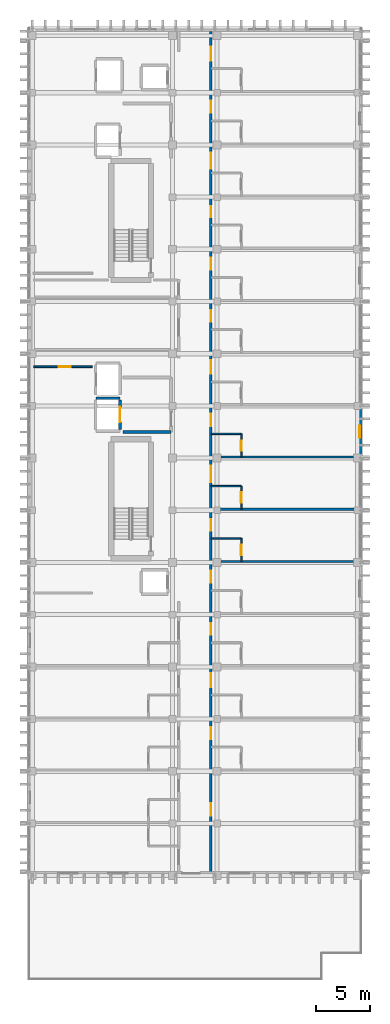
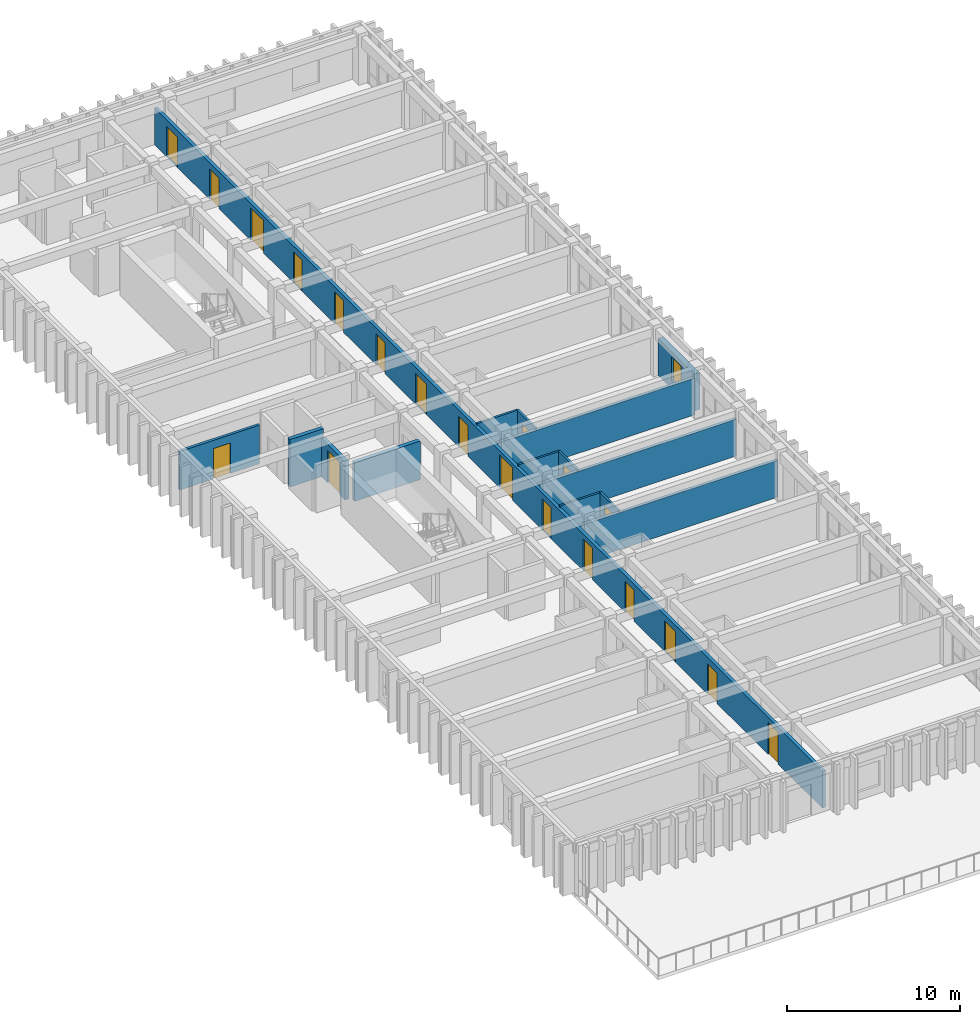
# One storey, part 49 of 59: 20 doors, 15 walls, 1 window, 21 openings.
"""IFC4 building model written with IfcOpenShell, lengths in metres."""

from ifc_helpers import new_model, si_unit, direction, frame, frame_2d, origin, place, context, subcontext, project, spatial, rectangle, extrude, material, layer, layer_set, type_object, element, fill, save


model = new_model("IFC4")

# Units and contexts
model_context = context("Model", 3, precision=1e-05, world=origin(), true_north=direction((0.0, 1.0)))
body_context = subcontext(model_context, "Body", "Model", "MODEL_VIEW")
ifc_project = project(units=[si_unit("LENGTHUNIT", "METRE"), si_unit("AREAUNIT", "SQUARE_METRE"), si_unit("VOLUMEUNIT", "CUBIC_METRE"), si_unit("PLANEANGLEUNIT", "RADIAN"), si_unit("MASSUNIT", "GRAM", prefix="KILO")], contexts=[model_context])

# Site, building, storey
site_placement = place(None, origin())
site = spatial("IfcSite", under=ifc_project, at=site_placement, CompositionType="ELEMENT")
building_placement = place(site_placement, origin())
building = spatial("IfcBuilding", under=site, at=building_placement, Name="Nakhvara Creek Congress Hotel", CompositionType="ELEMENT")
storey_placement = place(building_placement, frame((0.0, 0.0, 31.800048828125)))
storey = spatial("IfcBuildingStorey", under=building, at=storey_placement, Name="L07", CompositionType="ELEMENT", Elevation=31.800048828125)

# Wall, openings, doors
ifc_material_1 = material(Name="Gypsum acoustic board on steel stud", Category="steel")
ifc_layer_1 = layer(ifc_material_1, 0.219970703125)
ifc_layer_set_1 = layer_set([ifc_layer_1], Name="Gypsum acoustic board on steel stud")
wall_type_1 = type_object("IfcWallType", Name="W-CORR-220", PredefinedType="PARTITIONING", material=ifc_layer_set_1)
wall_1_placement = place(storey_placement, frame((165.8798828125, 48.35009765625, 0.0), z_axis=(0.0, 0.0, 1.0), x_axis=(0.0, 1.0, 0.0)))
wall_1 = element("IfcWall", 1, at=wall_1_placement, inside=storey, type_object=wall_type_1, Name="Interior Wall WP11-IW-L07-0521", PredefinedType="PARTITIONING", context=body_context, shape_type="SweptSolid", body=[
    extrude(rectangle(XDim=77.2998046875, YDim=0.219970703125, at=frame_2d((38.64990234375, 0.0))), origin(), (0.0, 0.0, 1.0), 2.60205078125),
])
opening_1_placement = place(wall_1_placement, frame((5.14990234375, 0.0, 0.0)))
opening_1 = element("IfcOpeningElement", 2, at=opening_1_placement, cuts=wall_1, Name="Opening GD05", PredefinedType="OPENING", context=body_context, shape_type="SweptSolid", body=[
    extrude(rectangle(XDim=1.139892578125, YDim=2.260009765625, at=frame_2d((0.56982421875, 1.1298828125))), frame((0.0, 0.1220703125, 0.0), z_axis=(0.0, -1.0, 0.0), x_axis=(1.0, 0.0, 0.0)), (0.0, 0.0, 1.0), 0.243896484375),
])
opening_2_placement = place(wall_1_placement, frame((12.18798828125, 0.0, 0.0)))
opening_2 = element("IfcOpeningElement", 3, at=opening_2_placement, cuts=wall_1, Name="Opening BD01", PredefinedType="OPENING", context=body_context, shape_type="SweptSolid", body=[
    extrude(rectangle(XDim=1.1201171875, YDim=2.14990234375, at=frame_2d((0.56005859375, 1.074951171875))), frame((0.0, 0.1220703125, 0.0), z_axis=(0.0, -1.0, 0.0), x_axis=(1.0, 0.0, 0.0)), (0.0, 0.0, 1.0), 0.243896484375),
])
opening_3_placement = place(wall_1_placement, frame((16.988037109375, 0.0, 0.0)))
opening_3 = element("IfcOpeningElement", 4, at=opening_3_placement, cuts=wall_1, Name="Opening ID07", PredefinedType="OPENING", context=body_context, shape_type="SweptSolid", body=[
    extrude(rectangle(XDim=1.280029296875, YDim=2.159912109375, at=frame_2d((0.64013671875, 1.080078125))), frame((0.0, 0.1220703125, 0.0), z_axis=(0.0, -1.0, 0.0), x_axis=(1.0, 0.0, 0.0)), (0.0, 0.0, 1.0), 0.243896484375),
])
opening_4_placement = place(wall_1_placement, frame((21.7880859375, 0.0, 0.0)))
opening_4 = element("IfcOpeningElement", 5, at=opening_4_placement, cuts=wall_1, Name="Opening ID04", PredefinedType="OPENING", context=body_context, shape_type="SweptSolid", body=[
    extrude(rectangle(XDim=1.050048828125, YDim=2.179931640625, at=frame_2d((0.52490234375, 1.08984375))), frame((0.0, 0.1220703125, 0.0), z_axis=(0.0, -1.0, 0.0), x_axis=(1.0, 0.0, 0.0)), (0.0, 0.0, 1.0), 0.243896484375),
])
opening_5_placement = place(wall_1_placement, frame((26.587890625, 0.0, 0.0)))
opening_5 = element("IfcOpeningElement", 6, at=opening_5_placement, cuts=wall_1, Name="Opening GD02", PredefinedType="OPENING", context=body_context, shape_type="SweptSolid", body=[
    extrude(rectangle(XDim=1.080078125, YDim=2.25, at=frame_2d((0.5400390625, 1.125))), frame((0.0, 0.1220703125, 0.0), z_axis=(0.0, -1.0, 0.0), x_axis=(1.0, 0.0, 0.0)), (0.0, 0.0, 1.0), 0.243896484375),
])
opening_6_placement = place(wall_1_placement, frame((31.387939453125, 0.0, 0.0)))
opening_6 = element("IfcOpeningElement", 7, at=opening_6_placement, cuts=wall_1, Name="Opening GD01", PredefinedType="OPENING", context=body_context, shape_type="SweptSolid", body=[
    extrude(rectangle(XDim=1.02001953125, YDim=2.199951171875, at=frame_2d((0.510009765625, 1.10009765625))), frame((0.0, 0.1220703125, 0.0), z_axis=(0.0, -1.0, 0.0), x_axis=(1.0, 0.0, 0.0)), (0.0, 0.0, 1.0), 0.243896484375),
])
opening_7_placement = place(wall_1_placement, frame((35.837890625, 0.0, 0.0)))
opening_7 = element("IfcOpeningElement", 8, at=opening_7_placement, cuts=wall_1, Name="Opening GD03", PredefinedType="OPENING", context=body_context, shape_type="SweptSolid", body=[
    extrude(rectangle(XDim=1.5, YDim=2.300048828125, at=frame_2d((0.75, 1.14990234375))), frame((0.0, 0.1220703125, 0.0), z_axis=(0.0, -1.0, 0.0), x_axis=(1.0, 0.0, 0.0)), (0.0, 0.0, 1.0), 0.243896484375),
])
opening_8_placement = place(wall_1_placement, frame((40.988037109375, 0.0, 0.0)))
opening_8 = element("IfcOpeningElement", 9, at=opening_8_placement, cuts=wall_1, Name="Opening BD01", PredefinedType="OPENING", context=body_context, shape_type="SweptSolid", body=[
    extrude(rectangle(XDim=1.1201171875, YDim=2.14990234375, at=frame_2d((0.56005859375, 1.074951171875))), frame((0.0, 0.1220703125, 0.0), z_axis=(0.0, -1.0, 0.0), x_axis=(1.0, 0.0, 0.0)), (0.0, 0.0, 1.0), 0.243896484375),
])
opening_9_placement = place(wall_1_placement, frame((45.7880859375, 0.0, 0.0)))
opening_9 = element("IfcOpeningElement", 10, at=opening_9_placement, cuts=wall_1, Name="Opening ID07", PredefinedType="OPENING", context=body_context, shape_type="SweptSolid", body=[
    extrude(rectangle(XDim=1.280029296875, YDim=2.159912109375, at=frame_2d((0.64013671875, 1.080078125))), frame((0.0, 0.1220703125, 0.0), z_axis=(0.0, -1.0, 0.0), x_axis=(1.0, 0.0, 0.0)), (0.0, 0.0, 1.0), 0.243896484375),
])
opening_10_placement = place(wall_1_placement, frame((50.587890625, 0.0, 0.0)))
opening_10 = element("IfcOpeningElement", 11, at=opening_10_placement, cuts=wall_1, Name="Opening ID04", PredefinedType="OPENING", context=body_context, shape_type="SweptSolid", body=[
    extrude(rectangle(XDim=1.050048828125, YDim=2.179931640625, at=frame_2d((0.52490234375, 1.08984375))), frame((0.0, 0.1220703125, 0.0), z_axis=(0.0, -1.0, 0.0), x_axis=(1.0, 0.0, 0.0)), (0.0, 0.0, 1.0), 0.243896484375),
])
opening_11_placement = place(wall_1_placement, frame((55.387939453125, 0.0, 0.0)))
opening_11 = element("IfcOpeningElement", 12, at=opening_11_placement, cuts=wall_1, Name="Opening GD02", PredefinedType="OPENING", context=body_context, shape_type="SweptSolid", body=[
    extrude(rectangle(XDim=1.080078125, YDim=2.25, at=frame_2d((0.5400390625, 1.125))), frame((0.0, 0.1220703125, 0.0), z_axis=(0.0, -1.0, 0.0), x_axis=(1.0, 0.0, 0.0)), (0.0, 0.0, 1.0), 0.243896484375),
])
opening_12_placement = place(wall_1_placement, frame((60.18798828125, 0.0, 0.0)))
opening_12 = element("IfcOpeningElement", 13, at=opening_12_placement, cuts=wall_1, Name="Opening GD01", PredefinedType="OPENING", context=body_context, shape_type="SweptSolid", body=[
    extrude(rectangle(XDim=1.02001953125, YDim=2.199951171875, at=frame_2d((0.510009765625, 1.10009765625))), frame((0.0, 0.1220703125, 0.0), z_axis=(0.0, -1.0, 0.0), x_axis=(1.0, 0.0, 0.0)), (0.0, 0.0, 1.0), 0.243896484375),
])
opening_13_placement = place(wall_1_placement, frame((64.637939453125, 0.0, 0.0)))
opening_13 = element("IfcOpeningElement", 14, at=opening_13_placement, cuts=wall_1, Name="Opening GD03", PredefinedType="OPENING", context=body_context, shape_type="SweptSolid", body=[
    extrude(rectangle(XDim=1.5, YDim=2.300048828125, at=frame_2d((0.75, 1.14990234375))), frame((0.0, 0.1220703125, 0.0), z_axis=(0.0, -1.0, 0.0), x_axis=(1.0, 0.0, 0.0)), (0.0, 0.0, 1.0), 0.243896484375),
])
opening_14_placement = place(wall_1_placement, frame((69.7880859375, 0.0, 0.0)))
opening_14 = element("IfcOpeningElement", 15, at=opening_14_placement, cuts=wall_1, Name="Opening BD01", PredefinedType="OPENING", context=body_context, shape_type="SweptSolid", body=[
    extrude(rectangle(XDim=1.1201171875, YDim=2.14990234375, at=frame_2d((0.56005859375, 1.074951171875))), frame((0.0, 0.1220703125, 0.0), z_axis=(0.0, -1.0, 0.0), x_axis=(1.0, 0.0, 0.0)), (0.0, 0.0, 1.0), 0.243896484375),
])
opening_15_placement = place(wall_1_placement, frame((74.587890625, 0.0, 0.0)))
opening_15 = element("IfcOpeningElement", 16, at=opening_15_placement, cuts=wall_1, Name="Opening ID07", PredefinedType="OPENING", context=body_context, shape_type="SweptSolid", body=[
    extrude(rectangle(XDim=1.280029296875, YDim=2.159912109375, at=frame_2d((0.64013671875, 1.080078125))), frame((0.0, 0.1220703125, 0.0), z_axis=(0.0, -1.0, 0.0), x_axis=(1.0, 0.0, 0.0)), (0.0, 0.0, 1.0), 0.243896484375),
])
ifc_material_2 = material(Name="Brushed stainless-clad BOH door")
door_type_1 = type_object("IfcDoorType", Name="DT-BOH-128", OperationType="NOTDEFINED", PredefinedType="DOOR", material=ifc_material_2)
door_1_placement = place(opening_3_placement, origin())
door_1 = element("IfcDoor", 17, at=door_1_placement, inside=storey, type_object=door_type_1, Name="Interior Door ID07-0412", OperationType="SINGLE_SWING_LEFT", OverallHeight=2.159912109375, OverallWidth=1.280029296875, PredefinedType="DOOR", context=body_context, shape_type="SweptSolid", body=[
    extrude(rectangle(XDim=1.280029296875, YDim=2.159912109375, at=frame_2d((0.64013671875, 1.080078125))), frame((0.0, 0.02490234375, 0.0), z_axis=(0.0, -1.0, 0.0), x_axis=(1.0, 0.0, 0.0)), (0.0, 0.0, 1.0), 0.050048828125),
])
fill(opening_3, door_1)
door_2_placement = place(opening_9_placement, origin())
door_2 = element("IfcDoor", 18, at=door_2_placement, inside=storey, type_object=door_type_1, Name="Interior Door ID07-0424", OperationType="SINGLE_SWING_LEFT", OverallHeight=2.159912109375, OverallWidth=1.280029296875, PredefinedType="DOOR", context=body_context, shape_type="SweptSolid", body=[
    extrude(rectangle(XDim=1.280029296875, YDim=2.159912109375, at=frame_2d((0.64013671875, 1.080078125))), frame((0.0, 0.02490234375, 0.0), z_axis=(0.0, -1.0, 0.0), x_axis=(1.0, 0.0, 0.0)), (0.0, 0.0, 1.0), 0.050048828125),
])
fill(opening_9, door_2)
door_3_placement = place(opening_15_placement, origin())
door_3 = element("IfcDoor", 19, at=door_3_placement, inside=storey, type_object=door_type_1, Name="Interior Door ID07-0436", OperationType="SINGLE_SWING_LEFT", OverallHeight=2.159912109375, OverallWidth=1.280029296875, PredefinedType="DOOR", context=body_context, shape_type="SweptSolid", body=[
    extrude(rectangle(XDim=1.280029296875, YDim=2.159912109375, at=frame_2d((0.64013671875, 1.080078125))), frame((0.0, 0.02490234375, 0.0), z_axis=(0.0, -1.0, 0.0), x_axis=(1.0, 0.0, 0.0)), (0.0, 0.0, 1.0), 0.050048828125),
])
fill(opening_15, door_3)
ifc_material_3 = material(Name="Walnut hardwood timber fire door", Category="wood")
door_type_2 = type_object("IfcDoorType", Name="DT-GUEST-102", OperationType="NOTDEFINED", PredefinedType="DOOR", material=ifc_material_3)
door_4_placement = place(opening_6_placement, origin())
door_4 = element("IfcDoor", 20, at=door_4_placement, inside=storey, type_object=door_type_2, Name="Interior Door GD01-0418", OperationType="SINGLE_SWING_LEFT", OverallHeight=2.199951171875, OverallWidth=1.02001953125, PredefinedType="DOOR", context=body_context, shape_type="SweptSolid", body=[
    extrude(rectangle(XDim=1.02001953125, YDim=2.199951171875, at=frame_2d((0.510009765625, 1.10009765625))), frame((0.0, 0.02490234375, 0.0), z_axis=(0.0, -1.0, 0.0), x_axis=(1.0, 0.0, 0.0)), (0.0, 0.0, 1.0), 0.050048828125),
])
fill(opening_6, door_4)
door_5_placement = place(opening_12_placement, origin())
door_5 = element("IfcDoor", 21, at=door_5_placement, inside=storey, type_object=door_type_2, Name="Interior Door GD01-0430", OperationType="SINGLE_SWING_LEFT", OverallHeight=2.199951171875, OverallWidth=1.02001953125, PredefinedType="DOOR", context=body_context, shape_type="SweptSolid", body=[
    extrude(rectangle(XDim=1.02001953125, YDim=2.199951171875, at=frame_2d((0.510009765625, 1.10009765625))), frame((0.0, 0.02490234375, 0.0), z_axis=(0.0, -1.0, 0.0), x_axis=(1.0, 0.0, 0.0)), (0.0, 0.0, 1.0), 0.050048828125),
])
fill(opening_12, door_5)
door_type_3 = type_object("IfcDoorType", Name="DT-GUEST-108", OperationType="NOTDEFINED", PredefinedType="DOOR", material=ifc_material_3)
door_6_placement = place(opening_5_placement, origin())
door_6 = element("IfcDoor", 22, at=door_6_placement, inside=storey, type_object=door_type_3, Name="Interior Door GD02-0416", OperationType="SINGLE_SWING_LEFT", OverallHeight=2.25, OverallWidth=1.080078125, PredefinedType="DOOR", context=body_context, shape_type="SweptSolid", body=[
    extrude(rectangle(XDim=1.080078125, YDim=2.25, at=frame_2d((0.5400390625, 1.125))), frame((0.0, 0.02490234375, 0.0), z_axis=(0.0, -1.0, 0.0), x_axis=(1.0, 0.0, 0.0)), (0.0, 0.0, 1.0), 0.050048828125),
])
fill(opening_5, door_6)
door_7_placement = place(opening_11_placement, origin())
door_7 = element("IfcDoor", 23, at=door_7_placement, inside=storey, type_object=door_type_3, Name="Interior Door GD02-0428", OperationType="SINGLE_SWING_LEFT", OverallHeight=2.25, OverallWidth=1.080078125, PredefinedType="DOOR", context=body_context, shape_type="SweptSolid", body=[
    extrude(rectangle(XDim=1.080078125, YDim=2.25, at=frame_2d((0.5400390625, 1.125))), frame((0.0, 0.02490234375, 0.0), z_axis=(0.0, -1.0, 0.0), x_axis=(1.0, 0.0, 0.0)), (0.0, 0.0, 1.0), 0.050048828125),
])
fill(opening_11, door_7)
door_type_4 = type_object("IfcDoorType", Name="DT-GUEST-114", OperationType="NOTDEFINED", PredefinedType="DOOR", material=ifc_material_3)
door_8_placement = place(opening_1_placement, origin())
door_8 = element("IfcDoor", 24, at=door_8_placement, inside=storey, type_object=door_type_4, Name="Interior Door GD05-0396", OperationType="SINGLE_SWING_LEFT", OverallHeight=2.260009765625, OverallWidth=1.139892578125, PredefinedType="DOOR", context=body_context, shape_type="SweptSolid", body=[
    extrude(rectangle(XDim=1.139892578125, YDim=2.260009765625, at=frame_2d((0.56982421875, 1.1298828125))), frame((0.0, 0.02490234375, 0.0), z_axis=(0.0, -1.0, 0.0), x_axis=(1.0, 0.0, 0.0)), (0.0, 0.0, 1.0), 0.050048828125),
])
fill(opening_1, door_8)
ifc_material_4 = material(Name="Hardwood-faced service fire door", Category="wood")
door_type_5 = type_object("IfcDoorType", Name="DT-HK-112", OperationType="NOTDEFINED", PredefinedType="DOOR", material=ifc_material_4)
door_9_placement = place(opening_2_placement, origin())
door_9 = element("IfcDoor", 25, at=door_9_placement, inside=storey, type_object=door_type_5, Name="Interior Door BD01-0410", OperationType="SINGLE_SWING_LEFT", OverallHeight=2.14990234375, OverallWidth=1.1201171875, PredefinedType="DOOR", context=body_context, shape_type="SweptSolid", body=[
    extrude(rectangle(XDim=1.1201171875, YDim=2.14990234375, at=frame_2d((0.56005859375, 1.074951171875))), frame((0.0, 0.02490234375, 0.0), z_axis=(0.0, -1.0, 0.0), x_axis=(1.0, 0.0, 0.0)), (0.0, 0.0, 1.0), 0.050048828125),
])
fill(opening_2, door_9)
door_10_placement = place(opening_8_placement, origin())
door_10 = element("IfcDoor", 26, at=door_10_placement, inside=storey, type_object=door_type_5, Name="Interior Door BD01-0422", OperationType="SINGLE_SWING_LEFT", OverallHeight=2.14990234375, OverallWidth=1.1201171875, PredefinedType="DOOR", context=body_context, shape_type="SweptSolid", body=[
    extrude(rectangle(XDim=1.1201171875, YDim=2.14990234375, at=frame_2d((0.56005859375, 1.074951171875))), frame((0.0, 0.02490234375, 0.0), z_axis=(0.0, -1.0, 0.0), x_axis=(1.0, 0.0, 0.0)), (0.0, 0.0, 1.0), 0.050048828125),
])
fill(opening_8, door_10)
door_11_placement = place(opening_14_placement, origin())
door_11 = element("IfcDoor", 27, at=door_11_placement, inside=storey, type_object=door_type_5, Name="Interior Door BD01-0434", OperationType="SINGLE_SWING_LEFT", OverallHeight=2.14990234375, OverallWidth=1.1201171875, PredefinedType="DOOR", context=body_context, shape_type="SweptSolid", body=[
    extrude(rectangle(XDim=1.1201171875, YDim=2.14990234375, at=frame_2d((0.56005859375, 1.074951171875))), frame((0.0, 0.02490234375, 0.0), z_axis=(0.0, -1.0, 0.0), x_axis=(1.0, 0.0, 0.0)), (0.0, 0.0, 1.0), 0.050048828125),
])
fill(opening_14, door_11)
ifc_material_5 = material(Name="Teak timber & frosted glass spa door", Category="wood")
door_type_6 = type_object("IfcDoorType", Name="DT-SPA-105", OperationType="NOTDEFINED", PredefinedType="DOOR", material=ifc_material_5)
door_12_placement = place(opening_4_placement, origin())
door_12 = element("IfcDoor", 28, at=door_12_placement, inside=storey, type_object=door_type_6, Name="Interior Door ID04-0414", OperationType="SINGLE_SWING_LEFT", OverallHeight=2.179931640625, OverallWidth=1.050048828125, PredefinedType="DOOR", context=body_context, shape_type="SweptSolid", body=[
    extrude(rectangle(XDim=1.050048828125, YDim=2.179931640625, at=frame_2d((0.52490234375, 1.08984375))), frame((0.0, 0.02490234375, 0.0), z_axis=(0.0, -1.0, 0.0), x_axis=(1.0, 0.0, 0.0)), (0.0, 0.0, 1.0), 0.050048828125),
])
fill(opening_4, door_12)
door_13_placement = place(opening_10_placement, origin())
door_13 = element("IfcDoor", 29, at=door_13_placement, inside=storey, type_object=door_type_6, Name="Interior Door ID04-0426", OperationType="SINGLE_SWING_LEFT", OverallHeight=2.179931640625, OverallWidth=1.050048828125, PredefinedType="DOOR", context=body_context, shape_type="SweptSolid", body=[
    extrude(rectangle(XDim=1.050048828125, YDim=2.179931640625, at=frame_2d((0.52490234375, 1.08984375))), frame((0.0, 0.02490234375, 0.0), z_axis=(0.0, -1.0, 0.0), x_axis=(1.0, 0.0, 0.0)), (0.0, 0.0, 1.0), 0.050048828125),
])
fill(opening_10, door_13)
ifc_material_6 = material(Name="Walnut hardwood double fire door", Category="wood")
door_type_7 = type_object("IfcDoorType", Name="DT-SUITE-150", OperationType="DOUBLE_DOOR_SINGLE_SWING", PredefinedType="DOOR", material=ifc_material_6)
door_14_placement = place(opening_7_placement, origin())
door_14 = element("IfcDoor", 30, at=door_14_placement, inside=storey, type_object=door_type_7, Name="Interior Door GD03-0420", OperationType="DOUBLE_DOOR_SINGLE_SWING", OverallHeight=2.300048828125, OverallWidth=1.5, PredefinedType="DOOR", context=body_context, shape_type="SweptSolid", body=[
    extrude(rectangle(XDim=1.5, YDim=2.300048828125, at=frame_2d((0.75, 1.14990234375))), frame((0.0, 0.02490234375, 0.0), z_axis=(0.0, -1.0, 0.0), x_axis=(1.0, 0.0, 0.0)), (0.0, 0.0, 1.0), 0.050048828125),
])
fill(opening_7, door_14)
door_15_placement = place(opening_13_placement, origin())
door_15 = element("IfcDoor", 31, at=door_15_placement, inside=storey, type_object=door_type_7, Name="Interior Door GD03-0432", OperationType="DOUBLE_DOOR_SINGLE_SWING", OverallHeight=2.300048828125, OverallWidth=1.5, PredefinedType="DOOR", context=body_context, shape_type="SweptSolid", body=[
    extrude(rectangle(XDim=1.5, YDim=2.300048828125, at=frame_2d((0.75, 1.14990234375))), frame((0.0, 0.02490234375, 0.0), z_axis=(0.0, -1.0, 0.0), x_axis=(1.0, 0.0, 0.0)), (0.0, 0.0, 1.0), 0.050048828125),
])
fill(opening_13, door_15)

# Wall, opening, door
ifc_material_7 = material(Name="Moisture-resistant gypsum board partition")
ifc_layer_2 = layer(ifc_material_7, 0.139892578125)
ifc_layer_set_2 = layer_set([ifc_layer_2], Name="Moisture-resistant gypsum board partition")
wall_type_2 = type_object("IfcWallType", Name="W-ENS-140", PredefinedType="PARTITIONING", material=ifc_layer_set_2)
wall_2_placement = place(storey_placement, frame((168.669921875, 76.89990234375, 0.0), z_axis=(0.0, 0.0, 1.0), x_axis=(0.0, 1.0, 0.0)))
wall_2 = element("IfcWall", 32, at=wall_2_placement, inside=storey, type_object=wall_type_2, Name="Interior Wall WP15-IW-L07-0556", PredefinedType="PARTITIONING", context=body_context, shape_type="SweptSolid", body=[
    extrude(rectangle(XDim=2.1162109375, YDim=0.139892578125, at=frame_2d((1.05810546875, 0.0))), origin(), (0.0, 0.0, 1.0), 2.73193359375),
])
opening_16_placement = place(wall_2_placement, frame((0.5830078125, 0.0, 0.0)))
opening_16 = element("IfcOpeningElement", 33, at=opening_16_placement, cuts=wall_2, Name="Opening ID02", PredefinedType="OPENING", context=body_context, shape_type="SweptSolid", body=[
    extrude(rectangle(XDim=0.9599609375, YDim=2.1201171875, at=frame_2d((0.47998046875, 1.06005859375))), frame((0.0, 0.08203125, 0.0), z_axis=(0.0, -1.0, 0.0), x_axis=(1.0, 0.0, 0.0)), (0.0, 0.0, 1.0), 0.163818359375),
])
ifc_material_8 = material(Name="Moisture-resistant walnut timber door", Category="wood")
door_type_8 = type_object("IfcDoorType", Name="DT-ENS-096", OperationType="NOTDEFINED", PredefinedType="DOOR", material=ifc_material_8)
door_16_placement = place(opening_16_placement, frame((0.9599609375, 0.0, 0.0), z_axis=(0.0, 0.0, 1.0), x_axis=(-1.0, 0.0, 0.0)))
door_16 = element("IfcDoor", 34, at=door_16_placement, inside=storey, type_object=door_type_8, Name="Interior Door ID02-0419", OperationType="SINGLE_SWING_RIGHT", OverallHeight=2.1201171875, OverallWidth=0.9599609375, PredefinedType="DOOR", context=body_context, shape_type="SweptSolid", body=[
    extrude(rectangle(XDim=0.9599609375, YDim=2.1201171875, at=frame_2d((0.47998046875, 1.06005859375))), frame((0.0, 0.02490234375, 0.0), z_axis=(0.0, -1.0, 0.0), x_axis=(1.0, 0.0, 0.0)), (0.0, 0.0, 1.0), 0.050048828125),
])
fill(opening_16, door_16)

# Wall
wall_3_placement = place(storey_placement, frame((165.919921875, 79.01611328125, 0.0), z_axis=(0.0, 0.0, 1.0), x_axis=(1.0, 0.0, 0.0)))
element("IfcWall", 35, at=wall_3_placement, inside=storey, type_object=wall_type_2, Name="Interior Wall WP15-IW-L07-0557", PredefinedType="PARTITIONING", context=body_context, shape_type="SweptSolid", body=[
    extrude(rectangle(XDim=2.75, YDim=0.139892578125, at=frame_2d((1.375, 0.0))), origin(), (0.0, 0.0, 1.0), 2.73193359375),
])

# Wall, opening, door
wall_4_placement = place(storey_placement, frame((168.669921875, 81.699951171875, 0.0), z_axis=(0.0, 0.0, 1.0), x_axis=(0.0, 1.0, 0.0)))
wall_4 = element("IfcWall", 36, at=wall_4_placement, inside=storey, type_object=wall_type_2, Name="Interior Wall WP15-IW-L07-0559", PredefinedType="PARTITIONING", context=body_context, shape_type="SweptSolid", body=[
    extrude(rectangle(XDim=2.115966796875, YDim=0.139892578125, at=frame_2d((1.05810546875, 0.0))), origin(), (0.0, 0.0, 1.0), 2.73193359375),
])
opening_17_placement = place(wall_4_placement, frame((0.5830078125, 0.0, 0.0)))
opening_17 = element("IfcOpeningElement", 37, at=opening_17_placement, cuts=wall_4, Name="Opening ID02", PredefinedType="OPENING", context=body_context, shape_type="SweptSolid", body=[
    extrude(rectangle(XDim=0.9599609375, YDim=2.1201171875, at=frame_2d((0.47998046875, 1.06005859375))), frame((0.0, 0.08203125, 0.0), z_axis=(0.0, -1.0, 0.0), x_axis=(1.0, 0.0, 0.0)), (0.0, 0.0, 1.0), 0.163818359375),
])
door_17_placement = place(opening_17_placement, frame((0.9599609375, 0.0, 0.0), z_axis=(0.0, 0.0, 1.0), x_axis=(-1.0, 0.0, 0.0)))
door_17 = element("IfcDoor", 38, at=door_17_placement, inside=storey, type_object=door_type_8, Name="Interior Door ID02-0421", OperationType="SINGLE_SWING_RIGHT", OverallHeight=2.1201171875, OverallWidth=0.9599609375, PredefinedType="DOOR", context=body_context, shape_type="SweptSolid", body=[
    extrude(rectangle(XDim=0.9599609375, YDim=2.1201171875, at=frame_2d((0.47998046875, 1.06005859375))), frame((0.0, 0.02490234375, 0.0), z_axis=(0.0, -1.0, 0.0), x_axis=(1.0, 0.0, 0.0)), (0.0, 0.0, 1.0), 0.050048828125),
])
fill(opening_17, door_17)

# Wall
wall_5_placement = place(storey_placement, frame((165.919921875, 83.81591796875, 0.0), z_axis=(0.0, 0.0, 1.0), x_axis=(1.0, 0.0, 0.0)))
element("IfcWall", 39, at=wall_5_placement, inside=storey, type_object=wall_type_2, Name="Interior Wall WP15-IW-L07-0560", PredefinedType="PARTITIONING", context=body_context, shape_type="SweptSolid", body=[
    extrude(rectangle(XDim=2.75, YDim=0.139892578125, at=frame_2d((1.375, 0.0))), origin(), (0.0, 0.0, 1.0), 2.73193359375),
])

# Wall, opening, door
wall_6_placement = place(storey_placement, frame((168.669921875, 86.5, 0.0), z_axis=(0.0, 0.0, 1.0), x_axis=(0.0, 1.0, 0.0)))
wall_6 = element("IfcWall", 40, at=wall_6_placement, inside=storey, type_object=wall_type_2, Name="Interior Wall WP15-IW-L07-0562", PredefinedType="PARTITIONING", context=body_context, shape_type="SweptSolid", body=[
    extrude(rectangle(XDim=2.115966796875, YDim=0.139892578125, at=frame_2d((1.05810546875, 0.0))), origin(), (0.0, 0.0, 1.0), 2.73193359375),
])
opening_18_placement = place(wall_6_placement, frame((0.5830078125, 0.0, 0.0)))
opening_18 = element("IfcOpeningElement", 41, at=opening_18_placement, cuts=wall_6, Name="Opening ID01", PredefinedType="OPENING", context=body_context, shape_type="SweptSolid", body=[
    extrude(rectangle(XDim=0.919921875, YDim=2.10009765625, at=frame_2d((0.4599609375, 1.050048828125))), frame((0.0, 0.08203125, 0.0), z_axis=(0.0, -1.0, 0.0), x_axis=(1.0, 0.0, 0.0)), (0.0, 0.0, 1.0), 0.163818359375),
])
door_type_9 = type_object("IfcDoorType", Name="DT-ENS-092", OperationType="NOTDEFINED", PredefinedType="DOOR", material=ifc_material_8)
door_18_placement = place(opening_18_placement, frame((0.919921875, 0.0, 0.0), z_axis=(0.0, 0.0, 1.0), x_axis=(-1.0, 0.0, 0.0)))
door_18 = element("IfcDoor", 42, at=door_18_placement, inside=storey, type_object=door_type_9, Name="Interior Door ID01-0423", OperationType="SINGLE_SWING_RIGHT", OverallHeight=2.10009765625, OverallWidth=0.919921875, PredefinedType="DOOR", context=body_context, shape_type="SweptSolid", body=[
    extrude(rectangle(XDim=0.919921875, YDim=2.10009765625, at=frame_2d((0.4599609375, 1.050048828125))), frame((0.0, 0.02490234375, 0.0), z_axis=(0.0, -1.0, 0.0), x_axis=(1.0, 0.0, 0.0)), (0.0, 0.0, 1.0), 0.050048828125),
])
fill(opening_18, door_18)

# Wall
wall_7_placement = place(storey_placement, frame((165.919921875, 88.615966796875, 0.0), z_axis=(0.0, 0.0, 1.0), x_axis=(1.0, 0.0, 0.0)))
element("IfcWall", 43, at=wall_7_placement, inside=storey, type_object=wall_type_2, Name="Interior Wall WP15-IW-L07-0563", PredefinedType="PARTITIONING", context=body_context, shape_type="SweptSolid", body=[
    extrude(rectangle(XDim=2.75, YDim=0.139892578125, at=frame_2d((1.375, 0.0))), origin(), (0.0, 0.0, 1.0), 2.73193359375),
])

# Wall, opening, window
ifc_material_9 = material(Name="Honed pale Omani limestone cladding", Category="masonry")
ifc_layer_3 = layer(ifc_material_9, 0.050048828125)
ifc_material_10 = material(Name="Mineral wool thermal insulation")
ifc_layer_4 = layer(ifc_material_10, 0.110107421875)
ifc_material_11 = material(Name="Precast concrete C40/50", Category="concrete")
ifc_layer_5 = layer(ifc_material_11, 0.219970703125)
ifc_layer_set_3 = layer_set([ifc_layer_3, ifc_layer_4, ifc_layer_5], Name="Precast concrete C40/50")
wall_type_3 = type_object("IfcWallType", Name="W-EXT-380", PredefinedType="SOLIDWALL", material=ifc_layer_set_3)
wall_8_placement = place(storey_placement, frame((179.56005859375, 90.9150390625, 0.0), z_axis=(0.0, 0.0, 1.0), x_axis=(0.0, -1.0, 0.0)))
wall_8 = element("IfcWall", 44, at=wall_8_placement, inside=storey, type_object=wall_type_3, Name="Exterior Wall WE03-EW-L07-0183", PredefinedType="SOLIDWALL", context=body_context, shape_type="SweptSolid", body=[
    extrude(rectangle(XDim=4.179931640625, YDim=0.3798828125, at=frame_2d((2.08984375, 0.0))), origin(), (0.0, 0.0, 1.0), 2.60205078125),
])
opening_19_placement = place(wall_8_placement, frame((1.5400390625, 0.0, 0.550048828125)))
opening_19 = element("IfcOpeningElement", 45, at=opening_19_placement, cuts=wall_8, Name="Opening WN0198", PredefinedType="OPENING", context=body_context, shape_type="SweptSolid", body=[
    extrude(rectangle(XDim=1.10009765625, YDim=1.699951171875, at=frame_2d((0.550048828125, 0.85009765625))), frame((0.0, 0.201904296875, 0.0), z_axis=(0.0, -1.0, 0.0), x_axis=(1.0, 0.0, 0.0)), (0.0, 0.0, 1.0), 0.40380859375),
])
ifc_material_12 = material(Name="Thermally broken bronze-anodised aluminium and double-silver low-E insulated glass", Category="aluminium")
window_type = type_object("IfcWindowType", Name="WN-LAN-110X215", PartitioningType="SINGLE_PANEL", PredefinedType="WINDOW", material=ifc_material_12)
window_placement = place(opening_19_placement, origin())
window = element("IfcWindow", 46, at=window_placement, inside=storey, type_object=window_type, Name="Facade Window WN0198", OverallHeight=1.699951171875, OverallWidth=1.10009765625, PartitioningType="SINGLE_PANEL", PredefinedType="WINDOW", context=body_context, shape_type="SweptSolid", body=[
    extrude(rectangle(XDim=1.10009765625, YDim=1.699951171875, at=frame_2d((0.550048828125, 0.85009765625))), frame((0.0, 0.030029296875, 0.0), z_axis=(0.0, -1.0, 0.0), x_axis=(1.0, 0.0, 0.0)), (0.0, 0.0, 1.0), 0.06005859375),
])
fill(opening_19, window)

# Wall
ifc_material_13 = material(Name="Concrete C40/50", Category="concrete")
ifc_layer_6 = layer(ifc_material_13, 0.260009765625)
ifc_layer_set_4 = layer_set([ifc_layer_6], Name="Concrete C40/50")
wall_type_4 = type_object("IfcWallType", Name="W-FFL-260", PredefinedType="SOLIDWALL", material=ifc_layer_set_4)
wall_9_placement = place(storey_placement, frame((157.800048828125, 88.800048828125, 0.0), z_axis=(0.0, 0.0, 1.0), x_axis=(1.0, 0.0, 0.0)))
element("IfcWall", 47, at=wall_9_placement, inside=storey, type_object=wall_type_4, Name="Core Shear Wall WI03-CWALL-L07-0179", PredefinedType="SOLIDWALL", context=body_context, shape_type="SweptSolid", body=[
    extrude(rectangle(XDim=4.39990234375, YDim=0.260009765625, at=frame_2d((2.199951171875, 0.0))), origin(), (0.0, 0.0, 1.0), 2.73193359375),
])

# Wall, opening, door
ifc_layer_7 = layer(ifc_material_1, 0.179931640625)
ifc_layer_set_5 = layer_set([ifc_layer_7], Name="Gypsum acoustic board on steel stud")
wall_type_5 = type_object("IfcWallType", Name="W-MEET-180", PredefinedType="PARTITIONING", material=ifc_layer_set_5)
wall_10_placement = place(storey_placement, frame((149.60009765625, 94.800048828125, 0.0), z_axis=(0.0, 0.0, 1.0), x_axis=(1.0, 0.0, 0.0)))
wall_10 = element("IfcWall", 48, at=wall_10_placement, inside=storey, type_object=wall_type_5, Name="Interior Wall WP13-IW-L07-0527", PredefinedType="PARTITIONING", context=body_context, shape_type="SweptSolid", body=[
    extrude(rectangle(XDim=5.349853515625, YDim=0.179931640625, at=frame_2d((2.6748046875, 0.0))), origin(), (0.0, 0.0, 1.0), 2.73193359375),
])
opening_20_placement = place(wall_10_placement, frame((2.27490234375, 0.0, 0.0)))
opening_20 = element("IfcOpeningElement", 49, at=opening_20_placement, cuts=wall_10, Name="Opening BD01", PredefinedType="OPENING", context=body_context, shape_type="SweptSolid", body=[
    extrude(rectangle(XDim=1.1201171875, YDim=2.14990234375, at=frame_2d((0.56005859375, 1.074951171875))), frame((0.0, 0.10205078125, 0.0), z_axis=(0.0, -1.0, 0.0), x_axis=(1.0, 0.0, 0.0)), (0.0, 0.0, 1.0), 0.203857421875),
])
door_19_placement = place(opening_20_placement, origin())
door_19 = element("IfcDoor", 50, at=door_19_placement, inside=storey, type_object=door_type_5, Name="Interior Door BD01-0399", OperationType="SINGLE_SWING_RIGHT", OverallHeight=2.14990234375, OverallWidth=1.1201171875, PredefinedType="DOOR", context=body_context, shape_type="SweptSolid", body=[
    extrude(rectangle(XDim=1.1201171875, YDim=2.14990234375, at=frame_2d((0.56005859375, 1.074951171875))), frame((0.0, 0.02490234375, 0.0), z_axis=(0.0, -1.0, 0.0), x_axis=(1.0, 0.0, 0.0)), (0.0, 0.0, 1.0), 0.050048828125),
])
fill(opening_20, door_19)

# Walls
ifc_layer_8 = layer(ifc_material_1, 0.199951171875)
ifc_layer_set_6 = layer_set([ifc_layer_8], Name="Gypsum acoustic board on steel stud")
wall_type_6 = type_object("IfcWallType", Name="W-PART-200", PredefinedType="PARTITIONING", material=ifc_layer_set_6)
for number, where, z_axis, x_axis, name in (
    (51, (166.02001953125, 76.89990234375, 0.0), (0.0, 0.0, 1.0), (1.0, 0.0, 0.0), "Interior Wall WP12-IW-L07-0555"),
    (52, (166.02001953125, 81.699951171875, 0.0), (0.0, 0.0, 1.0), (1.0, 0.0, 0.0), "Interior Wall WP12-IW-L07-0558"),
    (53, (166.02001953125, 86.5, 0.0), (0.0, 0.0, 1.0), (1.0, 0.0, 0.0), "Interior Wall WP12-IW-L07-0561"),
):
    element("IfcWall", number, at=place(storey_placement, frame(where, z_axis=z_axis, x_axis=x_axis)), inside=storey, type_object=wall_type_6, Name=name, PredefinedType="PARTITIONING", context=body_context, shape_type="SweptSolid", body=[
        extrude(rectangle(XDim=13.22998046875, YDim=0.199951171875, at=frame_2d((6.614990234375, 0.0))), origin(), (0.0, 0.0, 1.0), 2.60205078125),
    ])
ifc_layer_9 = layer(ifc_material_13, 0.25)
ifc_layer_set_7 = layer_set([ifc_layer_9], Name="Concrete C40/50")
wall_type_7 = type_object("IfcWallType", Name="W-SHAFT-250", PredefinedType="SOLIDWALL", material=ifc_layer_set_7)
wall_11_placement = place(storey_placement, frame((155.2900390625, 91.909912109375, 0.0), z_axis=(0.0, 0.0, 1.0), x_axis=(1.0, 0.0, 0.0)))
element("IfcWall", 54, at=wall_11_placement, inside=storey, type_object=wall_type_7, Name="Core Shear Wall WI02-CWALL-L07-0168", PredefinedType="SOLIDWALL", context=body_context, shape_type="SweptSolid", body=[
    extrude(rectangle(XDim=2.219970703125, YDim=0.25, at=frame_2d((1.10986328125, 0.0))), origin(), (0.0, 0.0, 1.0), 3.35986328125),
])

# Wall, opening, door
wall_12_placement = place(storey_placement, frame((157.510009765625, 89.050048828125, 0.0), z_axis=(0.0, 0.0, 1.0), x_axis=(0.0, 1.0, 0.0)))
wall_12 = element("IfcWall", 55, at=wall_12_placement, inside=storey, type_object=wall_type_7, Name="Core Shear Wall WI02-CWALL-L07-0170", PredefinedType="SOLIDWALL", context=body_context, shape_type="SweptSolid", body=[
    extrude(rectangle(XDim=2.699951171875, YDim=0.25, at=frame_2d((1.35009765625, 0.0))), origin(), (0.0, 0.0, 1.0), 2.73193359375),
])
opening_21_placement = place(wall_12_placement, frame((0.64990234375, 0.0, 0.0)))
opening_21 = element("IfcOpeningElement", 56, at=opening_21_placement, cuts=wall_12, Name="Opening LD02", PredefinedType="OPENING", context=body_context, shape_type="SweptSolid", body=[
    extrude(rectangle(XDim=1.39990234375, YDim=2.300048828125, at=frame_2d((0.699951171875, 1.14990234375))), frame((0.0, 0.136962890625, 0.0), z_axis=(0.0, -1.0, 0.0), x_axis=(1.0, 0.0, 0.0)), (0.0, 0.0, 1.0), 0.27392578125),
])
ifc_material_14 = material(Name="Brushed stainless steel heavy goods landing door", Category="steel")
door_type_10 = type_object("IfcDoorType", Name="DT-LIFT-140", OperationType="DOUBLE_DOOR_SLIDING", PredefinedType="DOOR", material=ifc_material_14)
door_20_placement = place(opening_21_placement, origin())
door_20 = element("IfcDoor", 57, at=door_20_placement, inside=storey, type_object=door_type_10, Name="Landing Door FFL1-L07", OperationType="SLIDING_TO_LEFT", OverallHeight=2.300048828125, OverallWidth=1.39990234375, PredefinedType="DOOR", context=body_context, shape_type="SweptSolid", body=[
    extrude(rectangle(XDim=1.39990234375, YDim=2.300048828125, at=frame_2d((0.699951171875, 1.14990234375))), frame((0.0, 0.02490234375, 0.0), z_axis=(0.0, -1.0, 0.0), x_axis=(1.0, 0.0, 0.0)), (0.0, 0.0, 1.0), 0.050048828125),
])
fill(opening_21, door_20)

save(model, "model.ifc")
